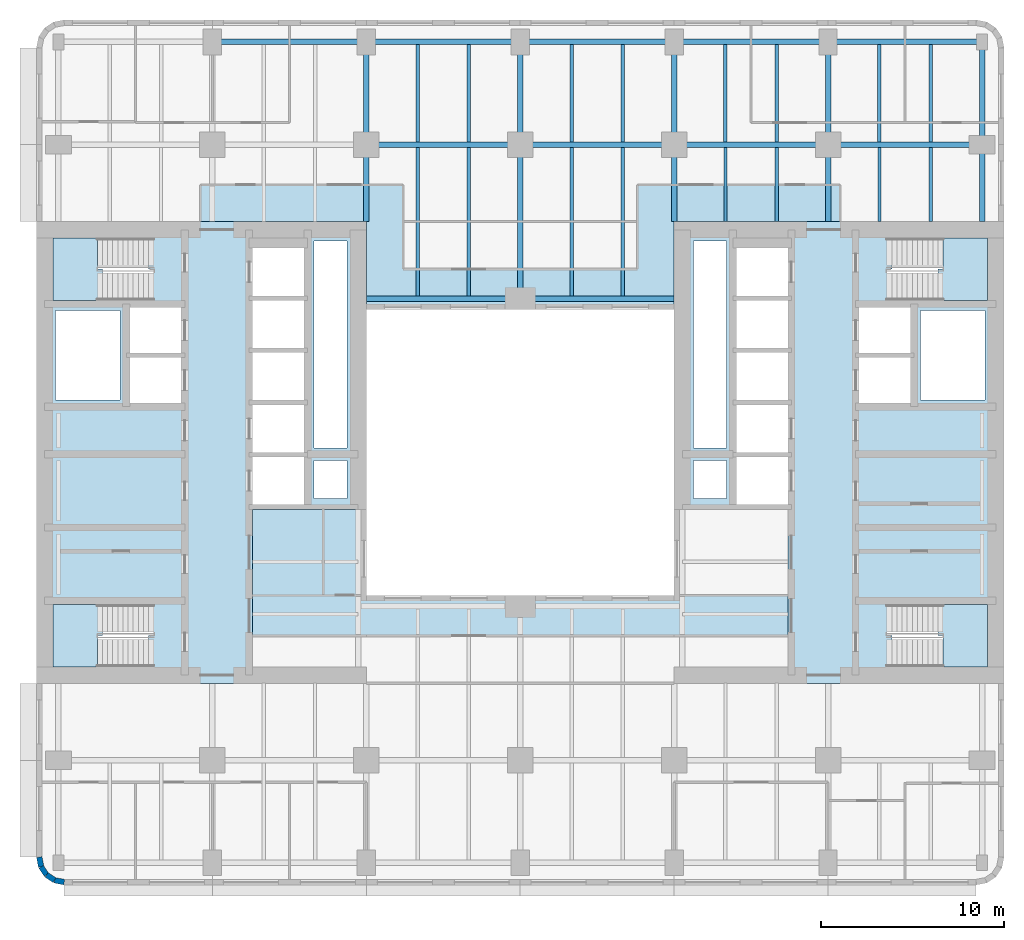
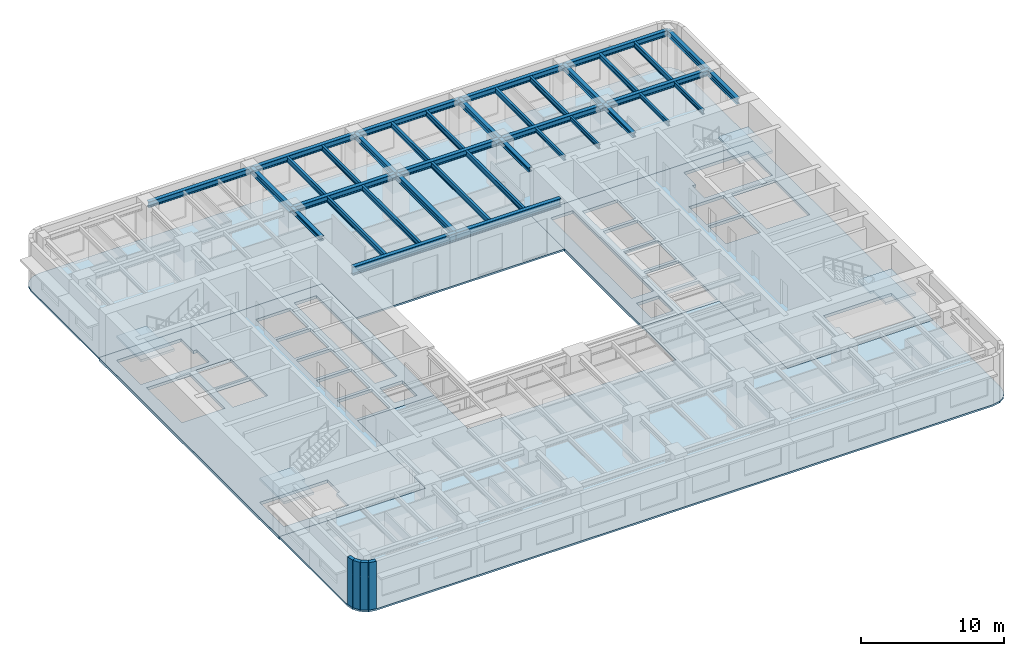
# One storey, part 2 of 11: 37 beams, 8 slabs, 4 walls, 4 elements without a shape of their own.
"""IFC4 building model written with IfcOpenShell, lengths in metres."""

from ifc_helpers import new_model, si_unit, direction, frame, frame_2d, origin, origin_2d, place, context, subcontext, project, spatial, polyline, rectangle, i_section, outline, extrude, material, layer, layer_set, material_profile, profile_set, type_object, element, aggregate, save


model = new_model("IFC4")

# Units and contexts
model_context = context("Model", 3, precision=1e-05, world=origin(), true_north=direction((0.0, 1.0)))
body_context = subcontext(model_context, "Body", "Model", "MODEL_VIEW")
ifc_project = project(units=[si_unit("LENGTHUNIT", "METRE"), si_unit("AREAUNIT", "SQUARE_METRE"), si_unit("VOLUMEUNIT", "CUBIC_METRE"), si_unit("PLANEANGLEUNIT", "RADIAN"), si_unit("MASSUNIT", "GRAM", prefix="KILO")], contexts=[model_context])

# Site, building, storey
site_placement = place(None, origin())
site = spatial("IfcSite", under=ifc_project, at=site_placement, CompositionType="ELEMENT")
building_placement = place(site_placement, origin())
building = spatial("IfcBuilding", under=site, at=building_placement, Name="Claustro Exchange Tower", CompositionType="ELEMENT")
storey_placement = place(building_placement, frame((0.0, 0.0, 109.199951171875)))
storey = spatial("IfcBuildingStorey", under=building, at=storey_placement, Name="L24", CompositionType="ELEMENT", Elevation=109.199951171875)

# Beams
ifc_material_1 = material(Name="Steel S355", Category="steel")
ifc_material_profile_1 = material_profile(ifc_material_1, i_section(OverallWidth=0.300048828125, OverallDepth=0.68994140625, WebThickness=0.014404296875, FlangeThickness=0.027099609375, FilletRadius=0.027099609375, at=origin_2d()), Name="HE 700 A")
ifc_profile_set_1 = profile_set([ifc_material_profile_1], Name="Steel S355")
beam_type_1 = type_object("IfcBeamType", Name="B13 HE 700 A light well edge girder", PredefinedType="BEAM", material=ifc_profile_set_1)
beam_1_placement = place(storey_placement, frame((16.800048828125, 33.60009765625, 3.705078125), z_axis=(1.0, 0.0, 0.0), x_axis=(0.0, 1.0, 0.0)))
element("IfcBeam", 1, at=beam_1_placement, inside=storey, type_object=beam_type_1, Name="Beam B13 L25", PredefinedType="BEAM", context=body_context, shape_type="SweptSolid", body=[
    extrude(i_section(OverallWidth=0.300048828125, OverallDepth=0.68994140625, WebThickness=0.014404296875, FlangeThickness=0.027099609375, FilletRadius=0.027099609375, at=origin_2d()), origin(), (0.0, 0.0, 1.0), 8.39990234375),
])
beam_2_placement = place(storey_placement, frame((25.199951171875, 33.60009765625, 3.705078125), z_axis=(1.0, 0.0, 0.0), x_axis=(0.0, 1.0, 0.0)))
element("IfcBeam", 2, at=beam_2_placement, inside=storey, type_object=beam_type_1, Name="Beam B13 L25", PredefinedType="BEAM", context=body_context, shape_type="SweptSolid", body=[
    extrude(i_section(OverallWidth=0.300048828125, OverallDepth=0.68994140625, WebThickness=0.014404296875, FlangeThickness=0.027099609375, FilletRadius=0.027099609375, at=origin_2d()), origin(), (0.0, 0.0, 1.0), 8.400146484375),
])
ifc_material_2 = material(Name="Steel S355", Category="steel")
ifc_material_profile_2 = material_profile(ifc_material_2, i_section(OverallWidth=0.169921875, OverallDepth=0.360107421875, WebThickness=0.008056640625, FlangeThickness=0.0126953125, FilletRadius=0.01806640625, at=origin_2d()), Name="IPE 360")
ifc_profile_set_2 = profile_set([ifc_material_profile_2], Name="Steel S355")
beam_type_2 = type_object("IfcBeamType", Name="B16 IPE 360 short-span beam", PredefinedType="BEAM", material=ifc_profile_set_2)
for number, where, z_axis, x_axis, name in (
    (3, (36.39990234375, 37.7900390625, 3.8701171875), (0.0, 1.0, 0.0), (-1.0, 0.0, 0.0), "Beam B16 L25"),
    (4, (39.199951171875, 37.7900390625, 3.8701171875), (0.0, 1.0, 0.0), (-1.0, 0.0, 0.0), "Beam B16 L25"),
    (5, (44.800048828125, 37.7900390625, 3.8701171875), (0.0, 1.0, 0.0), (-1.0, 0.0, 0.0), "Beam B16 L25"),
    (6, (47.60009765625, 37.7900390625, 3.8701171875), (0.0, 1.0, 0.0), (-1.0, 0.0, 0.0), "Beam B16 L25"),
):
    element("IfcBeam", number, at=place(storey_placement, frame(where, z_axis=z_axis, x_axis=x_axis)), inside=storey, type_object=beam_type_2, Name=name, PredefinedType="BEAM", context=body_context, shape_type="SweptSolid", body=[
        extrude(i_section(OverallWidth=0.169921875, OverallDepth=0.360107421875, WebThickness=0.008056640625, FlangeThickness=0.0126953125, FilletRadius=0.01806640625, at=origin_2d()), origin(), (0.0, 0.0, 1.0), 4.06005859375),
    ])
ifc_material_3 = material(Name="Steel S355", Category="steel")
ifc_material_profile_3 = material_profile(ifc_material_3, i_section(OverallWidth=0.300048828125, OverallDepth=0.360107421875, WebThickness=0.012451171875, FlangeThickness=0.0224609375, FilletRadius=0.027099609375, at=origin_2d()), Name="HE 360 B")
ifc_profile_set_3 = profile_set([ifc_material_profile_3], Name="Steel S355")
beam_type_3 = type_object("IfcBeamType", Name="B29 HE 360 B column to core link beam", PredefinedType="BEAM", material=ifc_profile_set_3)
for number, where, z_axis, x_axis, name in (
    (7, (16.800048828125, 37.800048828125, 3.8701171875), (0.0, 1.0, 0.0), (-1.0, 0.0, 0.0), "Beam B29 L25"),
    (8, (33.60009765625, 37.800048828125, 3.8701171875), (0.0, 1.0, 0.0), (-1.0, 0.0, 0.0), "Beam B29 L25"),
    (9, (42.0, 37.800048828125, 3.8701171875), (0.0, 1.0, 0.0), (-1.0, 0.0, 0.0), "Beam B29 L25"),
):
    element("IfcBeam", number, at=place(storey_placement, frame(where, z_axis=z_axis, x_axis=x_axis)), inside=storey, type_object=beam_type_3, Name=name, PredefinedType="BEAM", context=body_context, shape_type="SweptSolid", body=[
        extrude(i_section(OverallWidth=0.300048828125, OverallDepth=0.360107421875, WebThickness=0.012451171875, FlangeThickness=0.0224609375, FilletRadius=0.027099609375, at=origin_2d()), origin(), (0.0, 0.0, 1.0), 4.199951171875),
    ])
ifc_material_4 = material(Name="Steel S355", Category="steel")
ifc_material_profile_4 = material_profile(ifc_material_4, i_section(OverallWidth=0.300048828125, OverallDepth=0.5, WebThickness=0.014404296875, FlangeThickness=0.028076171875, FilletRadius=0.027099609375, at=origin_2d()), Name="HE 500 B")
ifc_profile_set_4 = profile_set([ifc_material_profile_4], Name="Steel S355")
beam_type_4 = type_object("IfcBeamType", Name="B7 HE 500 B floor girder", PredefinedType="BEAM", material=ifc_profile_set_4)
beam_3_placement = place(storey_placement, frame((16.800048828125, 42.0, 3.800048828125), z_axis=(0.0, 1.0, 0.0), x_axis=(-1.0, 0.0, 0.0)))
element("IfcBeam", 10, at=beam_3_placement, inside=storey, type_object=beam_type_4, Name="Beam B7 L25", PredefinedType="BEAM", context=body_context, shape_type="SweptSolid", body=[
    extrude(i_section(OverallWidth=0.300048828125, OverallDepth=0.5, WebThickness=0.014404296875, FlangeThickness=0.028076171875, FilletRadius=0.027099609375, at=origin_2d()), origin(), (0.0, 0.0, 1.0), 5.60009765625),
])
beam_4_placement = place(storey_placement, frame((25.199951171875, 33.60009765625, 3.800048828125), z_axis=(0.0, 1.0, 0.0), x_axis=(-1.0, 0.0, 0.0)))
element("IfcBeam", 11, at=beam_4_placement, inside=storey, type_object=beam_type_4, Name="Beam B7 L25", PredefinedType="BEAM", context=body_context, shape_type="SweptSolid", body=[
    extrude(i_section(OverallWidth=0.300048828125, OverallDepth=0.5, WebThickness=0.014404296875, FlangeThickness=0.028076171875, FilletRadius=0.027099609375, at=origin_2d()), origin(), (0.0, 0.0, 1.0), 8.39990234375),
])
for number, where, z_axis, x_axis, name in (
    (12, (25.199951171875, 42.0, 3.800048828125), (0.0, 1.0, 0.0), (-1.0, 0.0, 0.0), "Beam B7 L25"),
    (13, (33.60009765625, 42.0, 3.800048828125), (0.0, 1.0, 0.0), (-1.0, 0.0, 0.0), "Beam B7 L25"),
    (14, (42.0, 42.0, 3.800048828125), (0.0, 1.0, 0.0), (-1.0, 0.0, 0.0), "Beam B7 L25"),
):
    element("IfcBeam", number, at=place(storey_placement, frame(where, z_axis=z_axis, x_axis=x_axis)), inside=storey, type_object=beam_type_4, Name=name, PredefinedType="BEAM", context=body_context, shape_type="SweptSolid", body=[
        extrude(i_section(OverallWidth=0.300048828125, OverallDepth=0.5, WebThickness=0.014404296875, FlangeThickness=0.028076171875, FilletRadius=0.027099609375, at=origin_2d()), origin(), (0.0, 0.0, 1.0), 5.60009765625),
    ])
beam_5_placement = place(storey_placement, frame((16.800048828125, 42.0, 3.800048828125), z_axis=(1.0, 0.0, 0.0), x_axis=(0.0, 1.0, 0.0)))
element("IfcBeam", 15, at=beam_5_placement, inside=storey, type_object=beam_type_4, Name="Beam B7 L25", PredefinedType="BEAM", context=body_context, shape_type="SweptSolid", body=[
    extrude(i_section(OverallWidth=0.300048828125, OverallDepth=0.5, WebThickness=0.014404296875, FlangeThickness=0.028076171875, FilletRadius=0.027099609375, at=origin_2d()), origin(), (0.0, 0.0, 1.0), 8.39990234375),
])
beam_6_placement = place(storey_placement, frame((25.199951171875, 42.0, 3.800048828125), z_axis=(1.0, 0.0, 0.0), x_axis=(0.0, 1.0, 0.0)))
element("IfcBeam", 16, at=beam_6_placement, inside=storey, type_object=beam_type_4, Name="Beam B7 L25", PredefinedType="BEAM", context=body_context, shape_type="SweptSolid", body=[
    extrude(i_section(OverallWidth=0.300048828125, OverallDepth=0.5, WebThickness=0.014404296875, FlangeThickness=0.028076171875, FilletRadius=0.027099609375, at=origin_2d()), origin(), (0.0, 0.0, 1.0), 8.400146484375),
])
for number, where, z_axis, x_axis, name in (
    (17, (33.60009765625, 42.0, 3.800048828125), (1.0, 0.0, 0.0), (0.0, 1.0, 0.0), "Beam B7 L25"),
    (18, (42.0, 42.0, 3.800048828125), (1.0, 0.0, 0.0), (0.0, 1.0, 0.0), "Beam B7 L25"),
):
    element("IfcBeam", number, at=place(storey_placement, frame(where, z_axis=z_axis, x_axis=x_axis)), inside=storey, type_object=beam_type_4, Name=name, PredefinedType="BEAM", context=body_context, shape_type="SweptSolid", body=[
        extrude(i_section(OverallWidth=0.300048828125, OverallDepth=0.5, WebThickness=0.014404296875, FlangeThickness=0.028076171875, FilletRadius=0.027099609375, at=origin_2d()), origin(), (0.0, 0.0, 1.0), 8.39990234375),
    ])
ifc_material_5 = material(Name="Steel S355", Category="steel")
ifc_material_profile_5 = material_profile(ifc_material_5, i_section(OverallWidth=0.18994140625, OverallDepth=0.449951171875, WebThickness=0.009521484375, FlangeThickness=0.0146484375, FilletRadius=0.02099609375, at=origin_2d()), Name="IPE 450")
ifc_profile_set_5 = profile_set([ifc_material_profile_5], Name="Steel S355")
beam_type_5 = type_object("IfcBeamType", Name="B8 IPE 450 secondary beam", PredefinedType="BEAM", material=ifc_profile_set_5)
for number, where, z_axis, x_axis, name in (
    (19, (19.60009765625, 33.75, 3.824951171875), (0.0, 1.0, 0.0), (-1.0, 0.0, 0.0), "Beam B8 L25"),
    (20, (22.39990234375, 33.75, 3.824951171875), (0.0, 1.0, 0.0), (-1.0, 0.0, 0.0), "Beam B8 L25"),
):
    element("IfcBeam", number, at=place(storey_placement, frame(where, z_axis=z_axis, x_axis=x_axis)), inside=storey, type_object=beam_type_5, Name=name, PredefinedType="BEAM", context=body_context, shape_type="SweptSolid", body=[
        extrude(i_section(OverallWidth=0.18994140625, OverallDepth=0.449951171875, WebThickness=0.009521484375, FlangeThickness=0.0146484375, FilletRadius=0.02099609375, at=origin_2d()), origin(), (0.0, 0.0, 1.0), 8.10009765625),
    ])
for number, where, z_axis, x_axis, name in (
    (21, (19.60009765625, 42.14990234375, 3.824951171875), (0.0, 1.0, 0.0), (-1.0, 0.0, 0.0), "Beam B8 L25"),
    (22, (22.39990234375, 42.14990234375, 3.824951171875), (0.0, 1.0, 0.0), (-1.0, 0.0, 0.0), "Beam B8 L25"),
):
    element("IfcBeam", number, at=place(storey_placement, frame(where, z_axis=z_axis, x_axis=x_axis)), inside=storey, type_object=beam_type_5, Name=name, PredefinedType="BEAM", context=body_context, shape_type="SweptSolid", body=[
        extrude(i_section(OverallWidth=0.18994140625, OverallDepth=0.449951171875, WebThickness=0.009521484375, FlangeThickness=0.0146484375, FilletRadius=0.02099609375, at=origin_2d()), origin(), (0.0, 0.0, 1.0), 5.300048828125),
    ])
for number, where, z_axis, x_axis, name in (
    (23, (28.0, 33.75, 3.824951171875), (0.0, 1.0, 0.0), (-1.0, 0.0, 0.0), "Beam B8 L25"),
    (24, (30.800048828125, 33.75, 3.824951171875), (0.0, 1.0, 0.0), (-1.0, 0.0, 0.0), "Beam B8 L25"),
):
    element("IfcBeam", number, at=place(storey_placement, frame(where, z_axis=z_axis, x_axis=x_axis)), inside=storey, type_object=beam_type_5, Name=name, PredefinedType="BEAM", context=body_context, shape_type="SweptSolid", body=[
        extrude(i_section(OverallWidth=0.18994140625, OverallDepth=0.449951171875, WebThickness=0.009521484375, FlangeThickness=0.0146484375, FilletRadius=0.02099609375, at=origin_2d()), origin(), (0.0, 0.0, 1.0), 8.10009765625),
    ])
for number, where, z_axis, x_axis, name in (
    (25, (28.0, 42.14990234375, 3.824951171875), (0.0, 1.0, 0.0), (-1.0, 0.0, 0.0), "Beam B8 L25"),
    (26, (30.800048828125, 42.14990234375, 3.824951171875), (0.0, 1.0, 0.0), (-1.0, 0.0, 0.0), "Beam B8 L25"),
    (27, (36.39990234375, 42.14990234375, 3.824951171875), (0.0, 1.0, 0.0), (-1.0, 0.0, 0.0), "Beam B8 L25"),
    (28, (39.199951171875, 42.14990234375, 3.824951171875), (0.0, 1.0, 0.0), (-1.0, 0.0, 0.0), "Beam B8 L25"),
    (29, (44.800048828125, 42.14990234375, 3.824951171875), (0.0, 1.0, 0.0), (-1.0, 0.0, 0.0), "Beam B8 L25"),
    (30, (47.60009765625, 42.14990234375, 3.824951171875), (0.0, 1.0, 0.0), (-1.0, 0.0, 0.0), "Beam B8 L25"),
):
    element("IfcBeam", number, at=place(storey_placement, frame(where, z_axis=z_axis, x_axis=x_axis)), inside=storey, type_object=beam_type_5, Name=name, PredefinedType="BEAM", context=body_context, shape_type="SweptSolid", body=[
        extrude(i_section(OverallWidth=0.18994140625, OverallDepth=0.449951171875, WebThickness=0.009521484375, FlangeThickness=0.0146484375, FilletRadius=0.02099609375, at=origin_2d()), origin(), (0.0, 0.0, 1.0), 5.300048828125),
    ])
ifc_material_6 = material(Name="Steel S355", Category="steel")
ifc_material_profile_6 = material_profile(ifc_material_6, i_section(OverallWidth=0.300048828125, OverallDepth=0.489990234375, WebThickness=0.011962890625, FlangeThickness=0.02294921875, FilletRadius=0.027099609375, at=origin_2d()), Name="HE 500 A")
ifc_profile_set_6 = profile_set([ifc_material_profile_6], Name="Steel S355")
beam_type_6 = type_object("IfcBeamType", Name="B9 HE 500 A spandrel edge girder", PredefinedType="SPANDREL", material=ifc_profile_set_6)
beam_7_placement = place(storey_placement, frame((50.39990234375, 37.800048828125, 3.804931640625), z_axis=(0.0, 1.0, 0.0), x_axis=(-1.0, 0.0, 0.0)))
element("IfcBeam", 31, at=beam_7_placement, inside=storey, type_object=beam_type_6, Name="Beam B9 L25", PredefinedType="SPANDREL", context=body_context, shape_type="SweptSolid", body=[
    extrude(i_section(OverallWidth=0.300048828125, OverallDepth=0.489990234375, WebThickness=0.011962890625, FlangeThickness=0.02294921875, FilletRadius=0.027099609375, at=origin_2d()), origin(), (0.0, 0.0, 1.0), 4.199951171875),
])
beam_8_placement = place(storey_placement, frame((50.39990234375, 42.0, 3.804931640625), z_axis=(0.0, 1.0, 0.0), x_axis=(-1.0, 0.0, 0.0)))
element("IfcBeam", 32, at=beam_8_placement, inside=storey, type_object=beam_type_6, Name="Beam B9 L25", PredefinedType="SPANDREL", context=body_context, shape_type="SweptSolid", body=[
    extrude(i_section(OverallWidth=0.300048828125, OverallDepth=0.489990234375, WebThickness=0.011962890625, FlangeThickness=0.02294921875, FilletRadius=0.027099609375, at=origin_2d()), origin(), (0.0, 0.0, 1.0), 5.60009765625),
])
beam_9_placement = place(storey_placement, frame((8.39990234375, 47.60009765625, 3.804931640625), z_axis=(1.0, 0.0, 0.0), x_axis=(0.0, 1.0, 0.0)))
element("IfcBeam", 33, at=beam_9_placement, inside=storey, type_object=beam_type_6, Name="Beam B9 L25", PredefinedType="SPANDREL", context=body_context, shape_type="SweptSolid", body=[
    extrude(i_section(OverallWidth=0.300048828125, OverallDepth=0.489990234375, WebThickness=0.011962890625, FlangeThickness=0.02294921875, FilletRadius=0.027099609375, at=origin_2d()), origin(), (0.0, 0.0, 1.0), 8.400146484375),
])
beam_10_placement = place(storey_placement, frame((16.800048828125, 47.60009765625, 3.804931640625), z_axis=(1.0, 0.0, 0.0), x_axis=(0.0, 1.0, 0.0)))
element("IfcBeam", 34, at=beam_10_placement, inside=storey, type_object=beam_type_6, Name="Beam B9 L25", PredefinedType="SPANDREL", context=body_context, shape_type="SweptSolid", body=[
    extrude(i_section(OverallWidth=0.300048828125, OverallDepth=0.489990234375, WebThickness=0.011962890625, FlangeThickness=0.02294921875, FilletRadius=0.027099609375, at=origin_2d()), origin(), (0.0, 0.0, 1.0), 8.39990234375),
])
beam_11_placement = place(storey_placement, frame((25.199951171875, 47.60009765625, 3.804931640625), z_axis=(1.0, 0.0, 0.0), x_axis=(0.0, 1.0, 0.0)))
element("IfcBeam", 35, at=beam_11_placement, inside=storey, type_object=beam_type_6, Name="Beam B9 L25", PredefinedType="SPANDREL", context=body_context, shape_type="SweptSolid", body=[
    extrude(i_section(OverallWidth=0.300048828125, OverallDepth=0.489990234375, WebThickness=0.011962890625, FlangeThickness=0.02294921875, FilletRadius=0.027099609375, at=origin_2d()), origin(), (0.0, 0.0, 1.0), 8.400146484375),
])
for number, where, z_axis, x_axis, name in (
    (36, (33.60009765625, 47.60009765625, 3.804931640625), (1.0, 0.0, 0.0), (0.0, 1.0, 0.0), "Beam B9 L25"),
    (37, (42.0, 47.60009765625, 3.804931640625), (1.0, 0.0, 0.0), (0.0, 1.0, 0.0), "Beam B9 L25"),
):
    element("IfcBeam", number, at=place(storey_placement, frame(where, z_axis=z_axis, x_axis=x_axis)), inside=storey, type_object=beam_type_6, Name=name, PredefinedType="SPANDREL", context=body_context, shape_type="SweptSolid", body=[
        extrude(i_section(OverallWidth=0.300048828125, OverallDepth=0.489990234375, WebThickness=0.011962890625, FlangeThickness=0.02294921875, FilletRadius=0.027099609375, at=origin_2d()), origin(), (0.0, 0.0, 1.0), 8.39990234375),
    ])

# Slabs
ifc_material_7 = material(Name="Concrete HA-50 (C50/60)", Category="concrete")
ifc_layer_1 = layer(ifc_material_7, 0.14990234375)
ifc_layer_set_1 = layer_set([ifc_layer_1], Name="Concrete HA-50 (C50/60)")
slab_type_1 = type_object("IfcSlabType", Name="S2 150 composite floor slab", PredefinedType="FLOOR", material=ifc_layer_set_1)
slab_1_placement = place(storey_placement, frame((0.0, 0.0, -0.14990234375)))
element("IfcSlab", 38, at=slab_1_placement, inside=storey, type_object=slab_type_1, Name="Floor slab S2 S L24", PredefinedType="FLOOR", context=body_context, shape_type="SweptSolid", body=[
    extrude(outline(polyline([(-0.27392578125, 1.714111328125), (0.300048828125, 1.60009765625), (50.10009765625, 1.60009765625), (50.674072265625, 1.714111328125), (51.16064453125, 2.039306640625), (51.48583984375, 2.52587890625), (51.60009765625, 3.10009765625), (51.60009765625, 12.60009765625), (39.800048828125, 12.60009765625), (39.800048828125, 22.10009765625), (33.60009765625, 22.10009765625), (33.60009765625, 17.39990234375), (16.800048828125, 17.39990234375), (16.800048828125, 22.10009765625), (10.60009765625, 22.10009765625), (10.60009765625, 12.60009765625), (-1.199951171875, 12.60009765625), (-1.199951171875, 3.10009765625), (-1.085693359375, 2.52587890625), (-0.7607421875, 2.039306640625), (-0.27392578125, 1.714111328125)])), origin(), (0.0, 0.0, 1.0), 0.14990234375),
])
slab_2_placement = place(storey_placement, frame((0.0, 0.0, -0.14990234375)))
element("IfcSlab", 39, at=slab_2_placement, inside=storey, type_object=slab_type_1, Name="Floor slab S2 N L24", PredefinedType="FLOOR", context=body_context, shape_type="SweptSolid", body=[
    extrude(outline(polyline([(16.800048828125, 37.800048828125), (16.800048828125, 33.0), (33.60009765625, 33.0), (33.60009765625, 37.800048828125), (51.60009765625, 37.800048828125), (51.60009765625, 47.300048828125), (51.48583984375, 47.8740234375), (51.16064453125, 48.360595703125), (50.674072265625, 48.685791015625), (50.10009765625, 48.800048828125), (0.300048828125, 48.800048828125), (-0.27392578125, 48.685791015625), (-0.7607421875, 48.360595703125), (-1.085693359375, 47.8740234375), (-1.199951171875, 47.300048828125), (-1.199951171875, 37.800048828125), (16.800048828125, 37.800048828125)])), origin(), (0.0, 0.0, 1.0), 0.14990234375),
])
ifc_material_8 = material(Name="Concrete HA-50 (C50/60)", Category="concrete")
ifc_layer_2 = layer(ifc_material_8, 0.25)
ifc_layer_set_2 = layer_set([ifc_layer_2], Name="Concrete HA-50 (C50/60)")
slab_type_2 = type_object("IfcSlabType", Name="S7 250 core floor slab", PredefinedType="FLOOR", material=ifc_layer_set_2)
slab_3_placement = place(storey_placement, frame((0.0, 0.0, -0.25)))
element("IfcSlab", 40, at=slab_3_placement, inside=storey, type_object=slab_type_2, Name="Core floor slab S7 W core L24", PredefinedType="FLOOR", context=body_context, shape_type="SweptSolid", body=[
    extrude(outline(polyline([(-1.199951171875, 37.800048828125), (-1.199951171875, 12.60009765625), (10.60009765625, 12.60009765625), (10.60009765625, 22.10009765625), (16.800048828125, 22.10009765625), (16.800048828125, 37.800048828125), (-1.199951171875, 37.800048828125)]), holes=[polyline([(13.949951171875, 24.75), (15.75, 24.75), (15.75, 22.699951171875), (13.949951171875, 22.699951171875), (13.949951171875, 24.75)]), polyline([(13.949951171875, 36.75), (15.75, 36.75), (15.75, 25.449951171875), (13.949951171875, 25.449951171875), (13.949951171875, 36.75)]), polyline([(13.39990234375, 24.949951171875), (13.39990234375, 22.35009765625), (10.60009765625, 22.35009765625), (10.60009765625, 24.949951171875), (13.39990234375, 24.949951171875)]), polyline([(13.39990234375, 27.800048828125), (13.39990234375, 25.199951171875), (10.60009765625, 25.199951171875), (10.60009765625, 27.800048828125), (13.39990234375, 27.800048828125)]), polyline([(13.39990234375, 30.64990234375), (13.39990234375, 28.050048828125), (10.60009765625, 28.050048828125), (10.60009765625, 30.64990234375), (13.39990234375, 30.64990234375)]), polyline([(13.39990234375, 33.5), (13.39990234375, 30.89990234375), (10.60009765625, 30.89990234375), (10.60009765625, 33.5), (13.39990234375, 33.5)]), polyline([(13.39990234375, 36.35009765625), (13.39990234375, 33.75), (10.60009765625, 33.75), (10.60009765625, 36.35009765625), (13.39990234375, 36.35009765625)]), polyline([(6.699951171875, 30.375), (6.699951171875, 27.89990234375), (3.89990234375, 27.89990234375), (3.89990234375, 30.375), (6.699951171875, 30.375)]), polyline([(6.699951171875, 33.10009765625), (6.699951171875, 30.625), (3.89990234375, 30.625), (3.89990234375, 33.10009765625), (6.699951171875, 33.10009765625)]), polyline([(-0.300048828125, 15.199951171875), (-0.300048828125, 16.89990234375), (5.195068359375, 16.89990234375), (5.195068359375, 15.199951171875), (4.919921875, 15.199951171875), (4.919921875, 13.5), (-0.300048828125, 13.5), (-0.300048828125, 15.199951171875)]), polyline([(-0.300048828125, 35.199951171875), (-0.300048828125, 36.89990234375), (4.919921875, 36.89990234375), (4.919921875, 35.199951171875), (5.195068359375, 35.199951171875), (5.195068359375, 33.5), (-0.300048828125, 33.5), (-0.300048828125, 35.199951171875)]), polyline([(-0.14990234375, 32.949951171875), (3.35009765625, 32.949951171875), (3.35009765625, 28.050048828125), (-0.14990234375, 28.050048828125), (-0.14990234375, 32.949951171875)])]), origin(), (0.0, 0.0, 1.0), 0.25),
])
slab_4_placement = place(storey_placement, frame((0.0, 0.0, -0.25)))
element("IfcSlab", 41, at=slab_4_placement, inside=storey, type_object=slab_type_2, Name="Core floor slab S7 E core L24", PredefinedType="FLOOR", context=body_context, shape_type="SweptSolid", body=[
    extrude(outline(polyline([(51.60009765625, 37.800048828125), (33.60009765625, 37.800048828125), (33.60009765625, 22.10009765625), (39.800048828125, 22.10009765625), (39.800048828125, 12.60009765625), (51.60009765625, 12.60009765625), (51.60009765625, 37.800048828125)]), holes=[polyline([(45.47998046875, 15.199951171875), (45.205078125, 15.199951171875), (45.205078125, 16.89990234375), (50.699951171875, 16.89990234375), (50.699951171875, 15.199951171875), (50.699951171875, 13.5), (45.47998046875, 13.5), (45.47998046875, 15.199951171875)]), polyline([(45.47998046875, 35.199951171875), (45.47998046875, 36.89990234375), (50.699951171875, 36.89990234375), (50.699951171875, 35.199951171875), (50.699951171875, 33.5), (45.205078125, 33.5), (45.205078125, 35.199951171875), (45.47998046875, 35.199951171875)]), polyline([(50.550048828125, 32.949951171875), (50.550048828125, 28.050048828125), (47.050048828125, 28.050048828125), (47.050048828125, 32.949951171875), (50.550048828125, 32.949951171875)]), polyline([(43.699951171875, 33.10009765625), (46.5, 33.10009765625), (46.5, 30.625), (43.699951171875, 30.625), (43.699951171875, 33.10009765625)]), polyline([(46.5, 30.375), (46.5, 27.89990234375), (43.699951171875, 27.89990234375), (43.699951171875, 30.375), (46.5, 30.375)]), polyline([(37.0, 24.949951171875), (39.800048828125, 24.949951171875), (39.800048828125, 22.35009765625), (37.0, 22.35009765625), (37.0, 24.949951171875)]), polyline([(37.0, 30.64990234375), (39.800048828125, 30.64990234375), (39.800048828125, 28.050048828125), (37.0, 28.050048828125), (37.0, 30.64990234375)]), polyline([(39.800048828125, 27.800048828125), (39.800048828125, 25.199951171875), (37.0, 25.199951171875), (37.0, 27.800048828125), (39.800048828125, 27.800048828125)]), polyline([(39.800048828125, 33.5), (39.800048828125, 30.89990234375), (37.0, 30.89990234375), (37.0, 33.5), (39.800048828125, 33.5)]), polyline([(39.800048828125, 36.35009765625), (39.800048828125, 33.75), (37.0, 33.75), (37.0, 36.35009765625), (39.800048828125, 36.35009765625)]), polyline([(36.449951171875, 24.75), (36.449951171875, 22.699951171875), (34.64990234375, 22.699951171875), (34.64990234375, 24.75), (36.449951171875, 24.75)]), polyline([(36.449951171875, 36.75), (36.449951171875, 25.449951171875), (34.64990234375, 25.449951171875), (34.64990234375, 36.75), (36.449951171875, 36.75)])]), origin(), (0.0, 0.0, 1.0), 0.25),
])

# Stair, slab
ifc_material_9 = material(Name="Concrete HA-30 (C30/37), precast", Category="concrete")
stair_type = type_object("IfcStairType", Name="ST1 half-turn stair, 24 risers of 175", PredefinedType="HALF_TURN_STAIR", material=ifc_material_9)
stair_1_placement = place(storey_placement, origin())
stair_1 = element("IfcStair", 42, at=stair_1_placement, inside=storey, type_object=stair_type, Name="Stair STWA L24", PredefinedType="HALF_TURN_STAIR")
ifc_material_10 = material(Name="Concrete HA-30 (C30/37), precast", Category="concrete")
ifc_layer_3 = layer(ifc_material_10, 0.199951171875)
ifc_layer_set_3 = layer_set([ifc_layer_3], Name="Concrete HA-30 (C30/37), precast")
slab_type_3 = type_object("IfcSlabType", Name="S9 200 stair landing", PredefinedType="LANDING", material=ifc_layer_set_3)
slab_5_placement = place(storey_placement, frame((0.0, 0.0, 1.900146484375)))
slab_5 = element("IfcSlab", 43, at=slab_5_placement, type_object=slab_type_3, Name="STWA landing 1", PredefinedType="LANDING", context=body_context, shape_type="SweptSolid", body=[
    extrude(outline(polyline([(2.125, 13.5), (-0.300048828125, 13.5), (-0.300048828125, 16.89990234375), (2.1201171875, 16.89990234375), (2.125, 16.89990234375), (2.39990234375, 16.89990234375), (2.39990234375, 15.199951171875), (2.125, 15.199951171875), (2.125, 13.5)])), origin(), (0.0, 0.0, 1.0), 0.199951171875),
])
aggregate(stair_1, [slab_5])

stair_2_placement = place(storey_placement, origin())
stair_2 = element("IfcStair", 44, at=stair_2_placement, inside=storey, type_object=stair_type, Name="Stair STWB L24", PredefinedType="HALF_TURN_STAIR")
slab_6_placement = place(storey_placement, frame((0.0, 0.0, 1.900146484375)))
slab_6 = element("IfcSlab", 45, at=slab_6_placement, type_object=slab_type_3, Name="STWB landing 1", PredefinedType="LANDING", context=body_context, shape_type="SweptSolid", body=[
    extrude(outline(polyline([(2.39990234375, 35.199951171875), (2.39990234375, 33.5), (2.125, 33.5), (2.1201171875, 33.5), (-0.300048828125, 33.5), (-0.300048828125, 36.89990234375), (2.125, 36.89990234375), (2.125, 35.199951171875), (2.39990234375, 35.199951171875)])), origin(), (0.0, 0.0, 1.0), 0.199951171875),
])
aggregate(stair_2, [slab_6])

stair_3_placement = place(storey_placement, origin())
stair_3 = element("IfcStair", 46, at=stair_3_placement, inside=storey, type_object=stair_type, Name="Stair STEA L24", PredefinedType="HALF_TURN_STAIR")
slab_7_placement = place(storey_placement, frame((0.0, 0.0, 1.900146484375)))
slab_7 = element("IfcSlab", 47, at=slab_7_placement, type_object=slab_type_3, Name="STEA landing 1", PredefinedType="LANDING", context=body_context, shape_type="SweptSolid", body=[
    extrude(outline(polyline([(50.699951171875, 16.89990234375), (50.699951171875, 13.5), (48.27490234375, 13.5), (48.27490234375, 15.199951171875), (48.0, 15.199951171875), (48.0, 16.89990234375), (48.27490234375, 16.89990234375), (48.280029296875, 16.89990234375), (50.699951171875, 16.89990234375)])), origin(), (0.0, 0.0, 1.0), 0.199951171875),
])
aggregate(stair_3, [slab_7])

stair_4_placement = place(storey_placement, origin())
stair_4 = element("IfcStair", 48, at=stair_4_placement, inside=storey, type_object=stair_type, Name="Stair STEB L24", PredefinedType="HALF_TURN_STAIR")
slab_8_placement = place(storey_placement, frame((0.0, 0.0, 1.900146484375)))
slab_8 = element("IfcSlab", 49, at=slab_8_placement, type_object=slab_type_3, Name="STEB landing 1", PredefinedType="LANDING", context=body_context, shape_type="SweptSolid", body=[
    extrude(outline(polyline([(48.0, 33.5), (48.0, 35.199951171875), (48.27490234375, 35.199951171875), (48.27490234375, 36.89990234375), (50.699951171875, 36.89990234375), (50.699951171875, 33.5), (48.280029296875, 33.5), (48.27490234375, 33.5), (48.0, 33.5)])), origin(), (0.0, 0.0, 1.0), 0.199951171875),
])
aggregate(stair_4, [slab_8])

# Walls
ifc_material_11 = material(Name="Concrete HA-40 (C40/50), precast, white cement, acid-etched", Category="concrete")
ifc_layer_4 = layer(ifc_material_11, 0.300048828125)
ifc_layer_set_4 = layer_set([ifc_layer_4], Name="Concrete HA-40 (C40/50), precast, white cement, acid-etched")
wall_type = type_object("IfcWallType", Name="PC1 300 precast concrete pier panel", PredefinedType="SOLIDWALL", material=ifc_layer_set_4)
wall_1_placement = place(storey_placement, frame((0.314697265625, 1.75, 0.0), z_axis=(0.0, 0.0, 1.0), x_axis=(-0.980788534345, 0.195073962632, 0.0)))
element("IfcWall", 50, at=wall_1_placement, inside=storey, type_object=wall_type, Name="Precast pier panel PC1 L24", PredefinedType="SOLIDWALL", context=body_context, shape_type="SweptSolid", body=[
    extrude(rectangle(XDim=0.540771484375, YDim=0.300048828125, at=frame_2d((0.2705078125, 0.0))), origin(), (0.0, 0.0, 1.0), 4.050048828125),
])
for number, where, z_axis, x_axis, name in (
    (51, (-0.215576171875, 1.85546875, 0.0), (0.0, 0.0, 1.0), (-0.831478144188, 0.555557463938, 0.0), "Precast pier panel PC1 L24"),
    (52, (-0.652587890625, 2.1474609375, 0.0), (0.0, 0.0, 1.0), (-0.555557463938, 0.831478144188, 0.0), "Precast pier panel PC1 L24"),
):
    element("IfcWall", number, at=place(storey_placement, frame(where, z_axis=z_axis, x_axis=x_axis)), inside=storey, type_object=wall_type, Name=name, PredefinedType="SOLIDWALL", context=body_context, shape_type="SweptSolid", body=[
        extrude(rectangle(XDim=0.525634765625, YDim=0.300048828125, at=frame_2d((0.2626953125, 0.0))), origin(), (0.0, 0.0, 1.0), 4.050048828125),
    ])
wall_2_placement = place(storey_placement, frame((-0.944580078125, 2.58447265625, 0.0), z_axis=(0.0, 0.0, 1.0), x_axis=(-0.195073962632, 0.980788534345, 0.0)))
element("IfcWall", 53, at=wall_2_placement, inside=storey, type_object=wall_type, Name="Precast pier panel PC1 L24", PredefinedType="SOLIDWALL", context=body_context, shape_type="SweptSolid", body=[
    extrude(rectangle(XDim=0.540771484375, YDim=0.300048828125, at=frame_2d((0.2705078125, 0.0))), origin(), (0.0, 0.0, 1.0), 4.050048828125),
])

save(model, "model.ifc")
